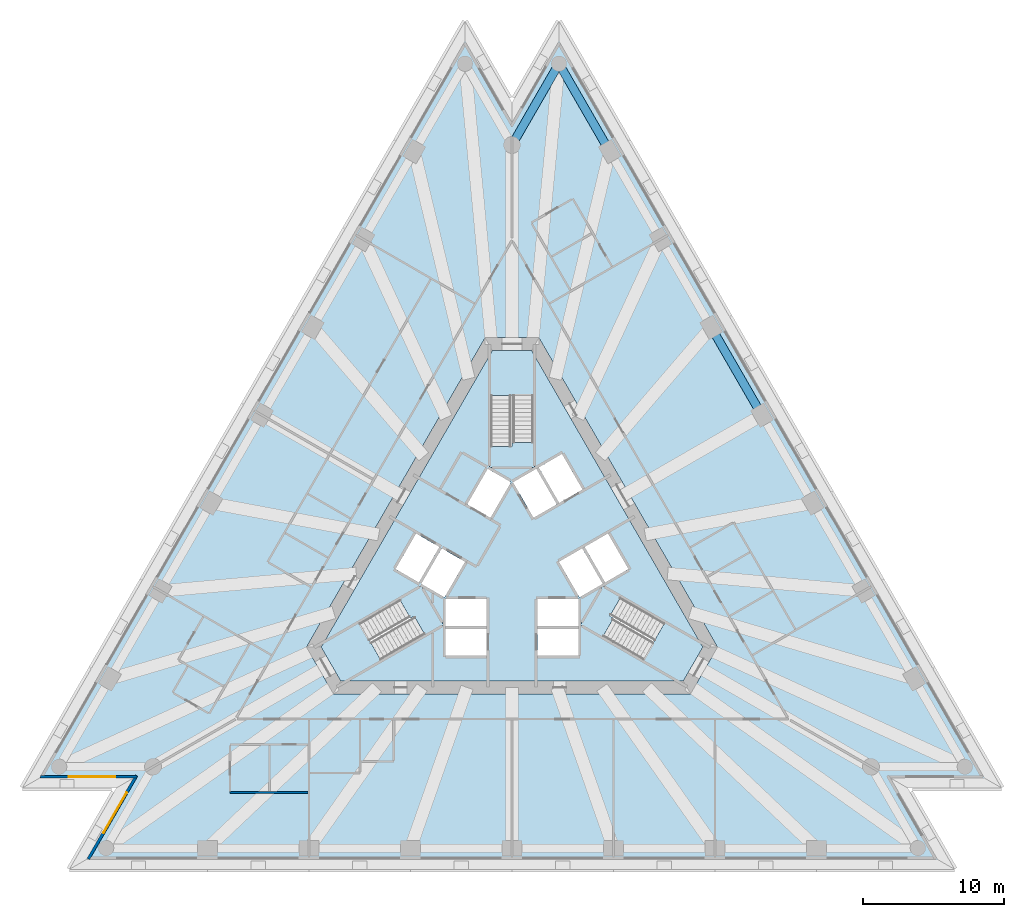
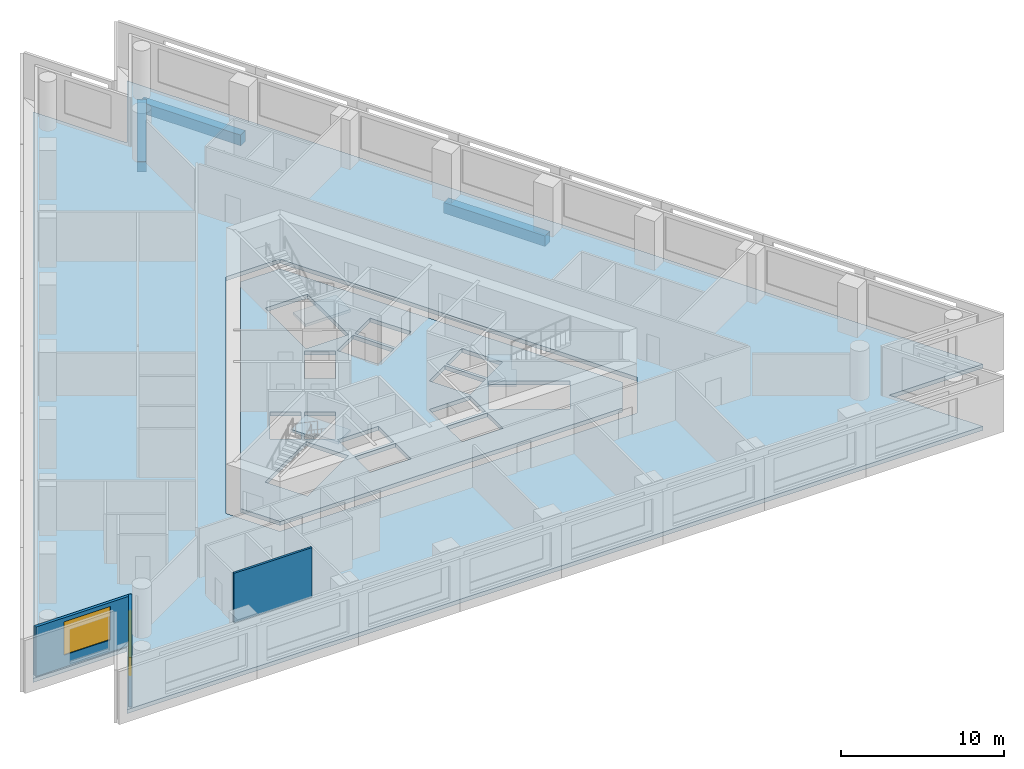
# One storey, part 2 of 11: 5 slabs, 3 beams, 3 walls, 2 windows, 2 openings, 3 elements without a shape of their own.
"""IFC4 building model written with IfcOpenShell, lengths in metres."""

from ifc_helpers import new_model, si_unit, direction, frame, frame_2d, origin, origin_2d, place, context, subcontext, project, spatial, polyline, rectangle, outline, extrude, material, layer, layer_set, layer_usage, material_profile, profile_set, type_object, element, fill, aggregate, save


model = new_model("IFC4")

# Units and contexts
model_context = context("Model", 3, precision=1e-05, world=origin(), true_north=direction((0.0, 1.0)))
body_context = subcontext(model_context, "Body", "Model", "MODEL_VIEW")
ifc_project = project(units=[si_unit("LENGTHUNIT", "METRE"), si_unit("AREAUNIT", "SQUARE_METRE"), si_unit("VOLUMEUNIT", "CUBIC_METRE"), si_unit("PLANEANGLEUNIT", "RADIAN"), si_unit("MASSUNIT", "GRAM", prefix="KILO")], contexts=[model_context])

# Site, building, storey
site_placement = place(None, origin())
site = spatial("IfcSite", under=ifc_project, at=site_placement, CompositionType="ELEMENT")
building_placement = place(site_placement, origin())
building = spatial("IfcBuilding", under=site, at=building_placement, Name="Triada Interchange Tower", CompositionType="ELEMENT")
storey_placement = place(building_placement, frame((0.0, 0.0, 83.300048828125)))
storey = spatial("IfcBuildingStorey", under=building, at=storey_placement, Name="L18", CompositionType="ELEMENT", Elevation=83.300048828125)

# Beams
ifc_material_1 = material(Name="Concrete C50/60", Category="concrete")
ifc_material_profile = material_profile(ifc_material_1, rectangle(XDim=0.60009765625, YDim=0.800048828125, at=origin_2d()), Name="RC 600x800")
ifc_profile_set = profile_set([ifc_material_profile], Name="Concrete C50/60")
beam_type = type_object("IfcBeamType", Name="Spandrel beam A RC 600x800", PredefinedType="BEAM", material=ifc_profile_set)
beam_1_placement = place(storey_placement, frame((17.69189453125, 10.214111328125, -0.699951171875), z_axis=(-0.499954846121, 0.866051471819, 0.0), x_axis=(-0.866051471819, -0.499954846121, 0.0)))
element("IfcBeam", 1, at=beam_1_placement, inside=storey, type_object=beam_type, Name="Spandrel beam EA25 L18", PredefinedType="BEAM", context=body_context, shape_type="SweptSolid", body=[
    extrude(rectangle(XDim=0.60009765625, YDim=0.800048828125, at=origin_2d()), origin(), (0.0, 0.0, 1.0), 7.184326171875),
])
beam_2_placement = place(storey_placement, frame((6.9169921875, 28.8779296875, -0.699951171875), z_axis=(-0.500024480384, 0.866011269567, 0.0), x_axis=(-0.866011269567, -0.500024480384, 0.0)))
element("IfcBeam", 2, at=beam_2_placement, inside=storey, type_object=beam_type, Name="Spandrel beam EA28 L18", PredefinedType="BEAM", context=body_context, shape_type="SweptSolid", body=[
    extrude(rectangle(XDim=0.60009765625, YDim=0.800048828125, at=origin_2d()), origin(), (0.0, 0.0, 1.0), 7.183837890625),
])
beam_3_placement = place(storey_placement, frame((3.324951171875, 35.09912109375, -0.699951171875), z_axis=(-0.49999681972, -0.866027239912, 0.0), x_axis=(0.866027239912, -0.49999681972, 0.0)))
element("IfcBeam", 3, at=beam_3_placement, inside=storey, type_object=beam_type, Name="Spandrel beam EA29 L18", PredefinedType="BEAM", context=body_context, shape_type="SweptSolid", body=[
    extrude(rectangle(XDim=0.60009765625, YDim=0.800048828125, at=origin_2d()), origin(), (0.0, 0.0, 1.0), 6.64990234375),
])

# Slabs
ifc_layer_1 = layer(ifc_material_1, 0.300048828125)
ifc_layer_set_1 = layer_set([ifc_layer_1], Name="Floor slab 300")
slab_type_1 = type_object("IfcSlabType", Name="Floor slab 300", PredefinedType="FLOOR", material=ifc_layer_set_1)
slab_1_placement = place(storey_placement, frame((0.0, 0.0, -0.300048828125)))
element("IfcSlab", 4, at=slab_1_placement, inside=storey, type_object=slab_type_1, Name="Floor slab L18", PredefinedType="FLOOR", context=body_context, shape_type="SweptSolid", body=[
    extrude(outline(polyline([(-3.324951171875, 36.89892578125), (-33.617919921875, -15.570068359375), (-26.968017578125, -15.570068359375), (-30.29296875, -21.3291015625), (30.29296875, -21.3291015625), (26.968017578125, -15.570068359375), (33.617919921875, -15.570068359375), (3.324951171875, 36.89892578125), (0.0, 31.139892578125), (-3.324951171875, 36.89892578125)]), holes=[polyline([(1.905029296875, 15.699951171875), (-1.905029296875, 15.699951171875), (-14.549072265625, -6.199951171875), (-12.64404296875, -9.5), (12.64404296875, -9.5), (14.549072265625, -6.199951171875), (1.905029296875, 15.699951171875)])]), origin(), (0.0, 0.0, 1.0), 0.300048828125),
])
slab_2_placement = place(storey_placement, frame((0.0, 0.0, -0.300048828125)))
element("IfcSlab", 5, at=slab_2_placement, inside=storey, type_object=slab_type_1, Name="Core floor slab L18 1", PredefinedType="FLOOR", context=body_context, shape_type="SweptSolid", body=[
    extrude(outline(polyline([(13.510009765625, -6.199951171875), (12.1240234375, -8.60009765625), (-12.1240234375, -8.60009765625), (-13.510009765625, -6.199951171875), (-1.385986328125, 14.800048828125), (1.385986328125, 14.800048828125), (13.510009765625, -6.199951171875)]), holes=[polyline([(9.2958984375, -7.09912109375), (10.7958984375, -4.5009765625), (6.466064453125, -2.0009765625), (4.966064453125, -4.59912109375), (9.2958984375, -7.09912109375)]), polyline([(6.7890625, 1.841064453125), (5.14404296875, 0.89111328125), (6.593994140625, -1.6201171875), (8.239013671875, -0.669921875), (6.7890625, 1.841064453125)]), polyline([(4.969970703125, 0.791015625), (3.324951171875, -0.158935546875), (4.77490234375, -2.669921875), (6.419921875, -1.719970703125), (4.969970703125, 0.791015625)]), polyline([(1.89404296875, 6.52001953125), (3.343994140625, 4.009033203125), (4.989013671875, 4.958984375), (3.5390625, 7.469970703125), (1.89404296875, 6.52001953125)]), polyline([(1.800048828125, -4.89990234375), (1.800048828125, -6.800048828125), (4.699951171875, -6.800048828125), (4.699951171875, -4.89990234375), (1.800048828125, -4.89990234375)]), polyline([(1.800048828125, -2.800048828125), (1.800048828125, -4.031005859375), (1.800048828125, -4.699951171875), (4.699951171875, -4.699951171875), (4.699951171875, -2.800048828125), (1.800048828125, -2.800048828125)]), polyline([(1.52490234375, 2.958984375), (1.68408203125, 3.051025390625), (3.169921875, 3.908935546875), (1.719970703125, 6.419921875), (0.074951171875, 5.469970703125), (1.52490234375, 2.958984375)]), polyline([(1.5, 11.60009765625), (-1.5, 11.60009765625), (-1.5, 6.60009765625), (1.5, 6.60009765625), (1.5, 11.60009765625)]), polyline([(-0.074951171875, 5.469970703125), (-1.719970703125, 6.419921875), (-3.169921875, 3.908935546875), (-1.6298828125, 3.01904296875), (-1.52490234375, 2.958984375), (-0.074951171875, 5.469970703125)]), polyline([(-4.699951171875, -2.800048828125), (-4.699951171875, -4.699951171875), (-1.800048828125, -4.699951171875), (-1.800048828125, -4.031005859375), (-1.800048828125, -2.800048828125), (-4.699951171875, -2.800048828125)]), polyline([(-4.699951171875, -4.89990234375), (-4.699951171875, -6.800048828125), (-1.800048828125, -6.800048828125), (-1.800048828125, -4.89990234375), (-4.699951171875, -4.89990234375)]), polyline([(-4.77490234375, -2.669921875), (-3.324951171875, -0.158935546875), (-4.969970703125, 0.791015625), (-6.419921875, -1.719970703125), (-4.77490234375, -2.669921875)]), polyline([(-10.7958984375, -4.5009765625), (-9.2958984375, -7.09912109375), (-4.966064453125, -4.59912109375), (-6.466064453125, -2.0009765625), (-10.7958984375, -4.5009765625)]), polyline([(-6.593994140625, -1.6201171875), (-5.14404296875, 0.89111328125), (-6.7890625, 1.841064453125), (-8.239013671875, -0.669921875), (-6.593994140625, -1.6201171875)])]), origin(), (0.0, 0.0, 1.0), 0.300048828125),
])

# Stair, slab
ifc_material_2 = material(Name="Concrete C35/45", Category="concrete")
stair_type = type_object("IfcStairType", Name="HALF TURN STAIR 1400", PredefinedType="HALF_TURN_STAIR", material=ifc_material_2)
stair_1_placement = place(storey_placement, origin())
stair_1 = element("IfcStair", 6, at=stair_1_placement, inside=storey, type_object=stair_type, Name="Exit stair S18-1", PredefinedType="HALF_TURN_STAIR")
ifc_layer_2 = layer(ifc_material_2, 0.199951171875)
ifc_layer_set_2 = layer_set([ifc_layer_2], Name="STAIR LANDING 200")
slab_type_2 = type_object("IfcSlabType", Name="STAIR LANDING 200", PredefinedType="LANDING", material=ifc_layer_set_2)
slab_3_placement = place(storey_placement, frame((0.0, 0.0, 1.719970703125)))
slab_3 = element("IfcSlab", 7, at=slab_3_placement, type_object=slab_type_2, Name="S18-1 landing 1", PredefinedType="LANDING", context=body_context, shape_type="SweptSolid", body=[
    extrude(outline(polyline([(1.60009765625, 6.5), (1.60009765625, 8.300048828125), (0.0, 8.300048828125), (0.0, 8.0), (-1.60009765625, 8.0), (-1.60009765625, 6.5), (1.60009765625, 6.5)])), origin(), (0.0, 0.0, 1.0), 0.199951171875),
])
aggregate(stair_1, [slab_3])

stair_2_placement = place(storey_placement, origin())
stair_2 = element("IfcStair", 8, at=stair_2_placement, inside=storey, type_object=stair_type, Name="Exit stair S18-2", PredefinedType="HALF_TURN_STAIR")
slab_4_placement = place(storey_placement, frame((0.0, 0.0, 1.719970703125)))
slab_4 = element("IfcSlab", 9, at=slab_4_placement, type_object=slab_type_2, Name="S18-2 landing 1", PredefinedType="LANDING", context=body_context, shape_type="SweptSolid", body=[
    extrude(outline(polyline([(-6.428955078125, -1.864013671875), (-7.988037109375, -2.763916015625), (-7.18798828125, -4.14990234375), (-6.927978515625, -4.0), (-6.1279296875, -5.385986328125), (-4.8291015625, -4.635986328125), (-6.428955078125, -1.864013671875)])), origin(), (0.0, 0.0, 1.0), 0.199951171875),
])
aggregate(stair_2, [slab_4])

stair_3_placement = place(storey_placement, origin())
stair_3 = element("IfcStair", 10, at=stair_3_placement, inside=storey, type_object=stair_type, Name="Exit stair S18-3", PredefinedType="HALF_TURN_STAIR")
slab_5_placement = place(storey_placement, frame((0.0, 0.0, 1.719970703125)))
slab_5 = element("IfcSlab", 11, at=slab_5_placement, type_object=slab_type_2, Name="S18-3 landing 1", PredefinedType="LANDING", context=body_context, shape_type="SweptSolid", body=[
    extrude(outline(polyline([(4.8291015625, -4.635986328125), (6.387939453125, -5.535888671875), (7.18798828125, -4.14990234375), (6.927978515625, -4.0), (7.72802734375, -2.614013671875), (6.428955078125, -1.864013671875), (4.8291015625, -4.635986328125)])), origin(), (0.0, 0.0, 1.0), 0.199951171875),
])
aggregate(stair_3, [slab_5])

# Wall, opening, window
ifc_material_3 = material(Name="Cement board")
ifc_layer_3 = layer(ifc_material_3, 0.02001953125, Name="Cement board cladding")
ifc_material_4 = material(Name="Sheathing board")
ifc_layer_4 = layer(ifc_material_4, 0.014892578125, Name="Sheathing board")
ifc_material_5 = material(Name="Mineral wool")
ifc_layer_5 = layer(ifc_material_5, 0.14990234375, Name="Mineral wool between steel studs")
ifc_material_6 = material(Name="Gypsum board")
ifc_layer_6 = layer(ifc_material_6, 0.014892578125, Name="Plasterboard lining")
ifc_layer_set_3 = layer_set([ifc_layer_3, ifc_layer_4, ifc_layer_5, ifc_layer_6], Name="External wall 200")
ifc_layer_usage = layer_usage(ifc_layer_set_3, "AXIS2", "POSITIVE", -0.10009765625)
wall_type_1 = type_object("IfcWallType", Name="External wall 200", PredefinedType="ELEMENTEDWALL", material=ifc_layer_set_3)
wall_1_placement = place(storey_placement, frame((-33.362060546875, -15.3701171875, 0.0), z_axis=(0.0, 0.0, 1.0), x_axis=(1.0, 0.0, 0.0)))
wall_1 = element("IfcWall", 12, at=wall_1_placement, inside=storey, type_object=wall_type_1, material=ifc_layer_usage, Name="External wall L18 SW-1", PredefinedType="ELEMENTEDWALL", context=body_context, shape_type="SweptSolid", body=[
    extrude(rectangle(XDim=6.81005859375, YDim=0.199951171875, at=frame_2d((3.405029296875, 0.0))), origin(), (0.0, 0.0, 1.0), 3.699951171875),
])
opening_1_placement = place(wall_1_placement, frame((1.989990234375, 0.0, 0.89990234375)))
opening_1 = element("IfcOpeningElement", 13, at=opening_1_placement, cuts=wall_1, Name="Opening WA09", PredefinedType="OPENING", context=body_context, shape_type="SweptSolid", body=[
    extrude(rectangle(XDim=3.300048828125, YDim=2.5, at=frame_2d((1.64990234375, 1.25))), frame((0.0, 0.10986328125, 0.0), z_axis=(0.0, -1.0, 0.0), x_axis=(1.0, 0.0, 0.0)), (0.0, 0.0, 1.0), 0.219970703125),
])
ifc_material_7 = material(Name="Double glazed aluminium window", Category="aluminium")
window_type = type_object("IfcWindowType", Name="Ribbon window A pocket", PartitioningType="SINGLE_PANEL", PredefinedType="WINDOW", material=ifc_material_7)
window_1_placement = place(opening_1_placement, origin())
window_1 = element("IfcWindow", 14, at=window_1_placement, inside=storey, type_object=window_type, Name="Window L18 SW-1 1", OverallHeight=2.5, OverallWidth=3.300048828125, PartitioningType="SINGLE_PANEL", PredefinedType="WINDOW", context=body_context, shape_type="SweptSolid", body=[
    extrude(rectangle(XDim=3.300048828125, YDim=2.5, at=frame_2d((1.64990234375, 1.25))), frame((0.0, 0.030029296875, 0.0), z_axis=(0.0, -1.0, 0.0), x_axis=(1.0, 0.0, 0.0)), (0.0, 0.0, 1.0), 0.06005859375),
])
fill(opening_1, window_1)

wall_2_placement = place(storey_placement, frame((-26.576904296875, -15.2919921875, 0.0), z_axis=(0.0, 0.0, 1.0), x_axis=(-0.499983120418, -0.866035148996, 0.0)))
wall_2 = element("IfcWall", 15, at=wall_2_placement, inside=storey, type_object=wall_type_1, material=ifc_layer_usage, Name="External wall L18 SW-2", PredefinedType="ELEMENTEDWALL", context=body_context, shape_type="SweptSolid", body=[
    extrude(rectangle(XDim=6.810302734375, YDim=0.199951171875, at=frame_2d((3.4052734375, 0.0))), origin(), (0.0, 0.0, 1.0), 3.699951171875),
])
opening_2_placement = place(wall_2_placement, frame((1.389892578125, 0.0, 0.89990234375)))
opening_2 = element("IfcOpeningElement", 16, at=opening_2_placement, cuts=wall_2, Name="Opening WA10", PredefinedType="OPENING", context=body_context, shape_type="SweptSolid", body=[
    extrude(rectangle(XDim=3.300048828125, YDim=2.5, at=frame_2d((1.64990234375, 1.25))), frame((0.0, 0.10986328125, 0.0), z_axis=(0.0, -1.0, 0.0), x_axis=(1.0, 0.0, 0.0)), (0.0, 0.0, 1.0), 0.219970703125),
])
window_2_placement = place(opening_2_placement, origin())
window_2 = element("IfcWindow", 17, at=window_2_placement, inside=storey, type_object=window_type, Name="Window L18 SW-2 1", OverallHeight=2.5, OverallWidth=3.300048828125, PartitioningType="SINGLE_PANEL", PredefinedType="WINDOW", context=body_context, shape_type="SweptSolid", body=[
    extrude(rectangle(XDim=3.300048828125, YDim=2.5, at=frame_2d((1.64990234375, 1.25))), frame((0.0, 0.030029296875, 0.0), z_axis=(0.0, -1.0, 0.0), x_axis=(1.0, 0.0, 0.0)), (0.0, 0.0, 1.0), 0.06005859375),
])
fill(opening_2, window_2)

# Wall
ifc_material_8 = material(Name="Gypsum board partition")
ifc_layer_7 = layer(ifc_material_8, 0.14990234375)
ifc_layer_set_4 = layer_set([ifc_layer_7], Name="PARTITION 150 EI 90")
wall_type_2 = type_object("IfcWallType", Name="PARTITION 150 EI 90", PredefinedType="PARTITIONING", material=ifc_layer_set_4)
wall_3_placement = place(storey_placement, frame((-19.967041015625, -16.5, 0.0), z_axis=(0.0, 0.0, 1.0), x_axis=(1.0, 0.0, 0.0)))
element("IfcWall", 18, at=wall_3_placement, inside=storey, type_object=wall_type_2, Name="Wall L18 33", PredefinedType="PARTITIONING", context=body_context, shape_type="SweptSolid", body=[
    extrude(rectangle(XDim=5.525146484375, YDim=0.14990234375, at=frame_2d((2.7626953125, 0.0))), origin(), (0.0, 0.0, 1.0), 3.699951171875),
])

save(model, "model.ifc")
